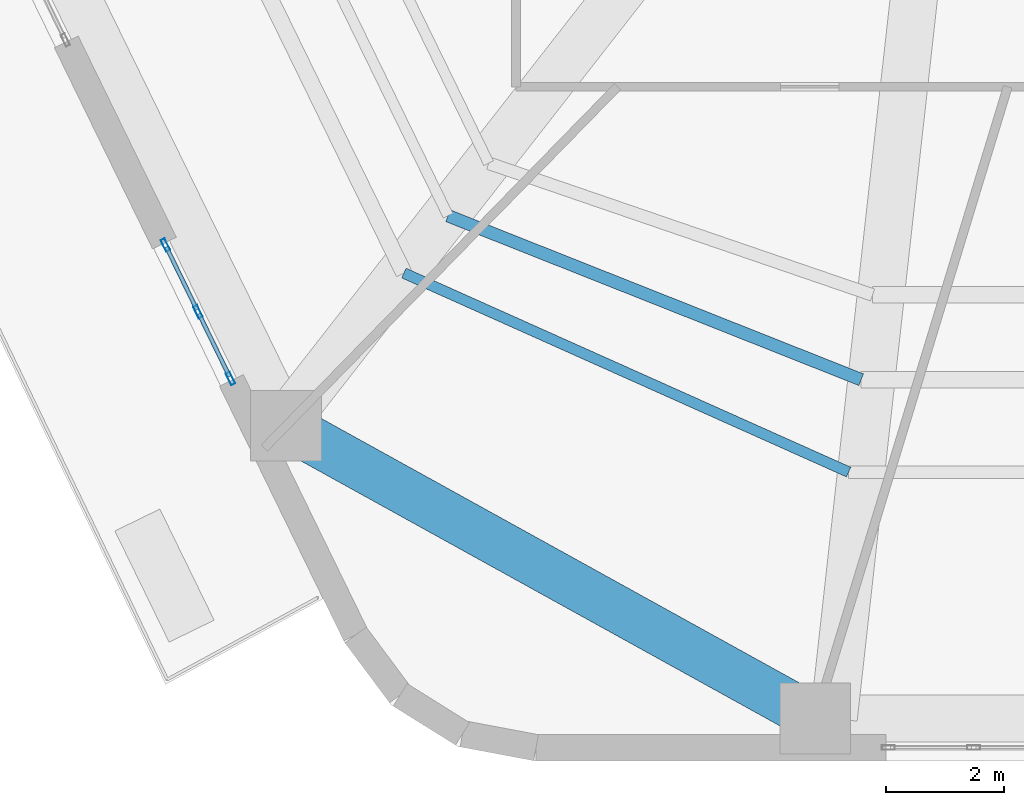
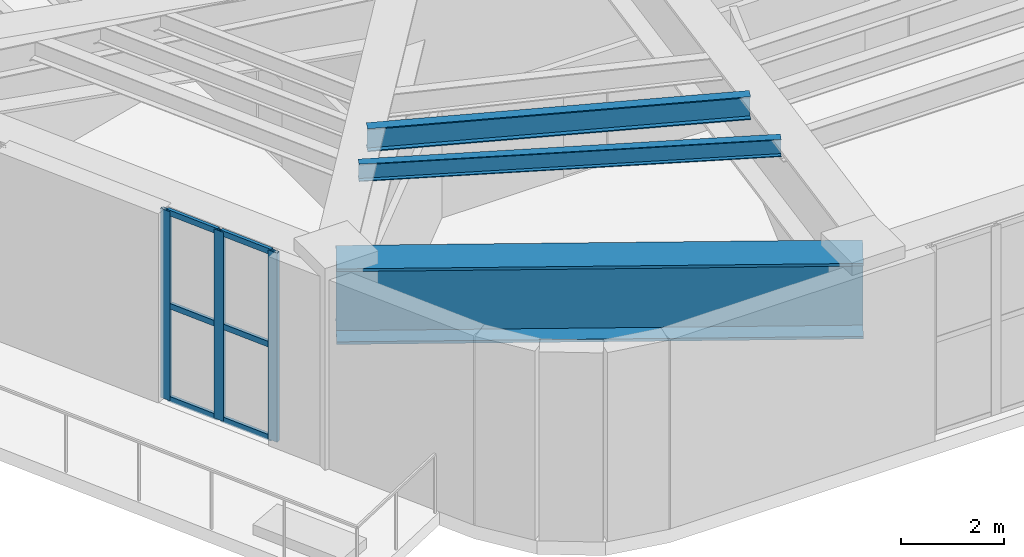
# One storey, part 2 of 22: 9 members, 3 beams, 1 element without a shape of its own.
"""IFC4 building model written with IfcOpenShell, lengths in metres."""

from ifc_helpers import new_model, si_unit, direction, frame, origin, origin_2d, place, context, subcontext, project, spatial, hollow_rectangle, i_section, extrude, material, layer, layer_set, material_profile, profile_set, type_object, element, aggregate, save


model = new_model("IFC4")

# Units and contexts
model_context = context("Model", 3, precision=1e-05, world=origin(), true_north=direction((0.0, 1.0)))
body_context = subcontext(model_context, "Body", "Model", "MODEL_VIEW")
ifc_project = project(units=[si_unit("LENGTHUNIT", "METRE"), si_unit("AREAUNIT", "SQUARE_METRE"), si_unit("VOLUMEUNIT", "CUBIC_METRE"), si_unit("PLANEANGLEUNIT", "RADIAN"), si_unit("MASSUNIT", "GRAM", prefix="KILO")], contexts=[model_context])

# Site, building, storey
site_placement = place(None, origin())
site = spatial("IfcSite", under=ifc_project, at=site_placement, CompositionType="ELEMENT")
building_placement = place(site_placement, origin())
building = spatial("IfcBuilding", under=site, at=building_placement, Name="Kilnhurst Terrace Hotel", CompositionType="ELEMENT")
storey_placement = place(building_placement, frame((0.0, 0.0, 139.5)))
storey = spatial("IfcBuildingStorey", under=building, at=storey_placement, Name="L34", CompositionType="ELEMENT", Elevation=139.5)

# Beams
ifc_material_1 = material(Name="Steel ASTM A992 Grade 50", Category="steel")
ifc_material_profile_1 = material_profile(ifc_material_1, i_section(OverallWidth=0.180908203125, OverallDepth=0.417236328125, WebThickness=0.010986328125, FlangeThickness=0.018310546875, at=origin_2d()), Name="W16X57")
ifc_profile_set_1 = profile_set([ifc_material_profile_1], Name="Steel ASTM A992 Grade 50")
beam_type_1 = type_object("IfcBeamType", Name="JST-STL-W16X57", PredefinedType="JOIST", material=ifc_profile_set_1)
beam_1_placement = place(storey_placement, frame((-13.2548828125, -13.01416015625, 4.291015625), z_axis=(0.912760935806, -0.408494154262, 0.0), x_axis=(0.408494154262, 0.912760935806, 0.0)))
element("IfcBeam", 1, at=beam_1_placement, inside=storey, type_object=beam_type_1, Name="L34 Secondary Floor Steel Joist OUT.12", PredefinedType="JOIST", context=body_context, shape_type="SweptSolid", body=[
    extrude(i_section(OverallWidth=0.180908203125, OverallDepth=0.417236328125, WebThickness=0.010986328125, FlangeThickness=0.018310546875, at=origin_2d()), origin(), (0.0, 0.0, 1.0), 8.274658203125),
])
ifc_material_profile_2 = material_profile(ifc_material_1, i_section(OverallWidth=0.2138671875, OverallDepth=0.549072265625, WebThickness=0.0146484375, FlangeThickness=0.023681640625, at=origin_2d()), Name="W21X93")
ifc_profile_set_2 = profile_set([ifc_material_profile_2], Name="Steel ASTM A992 Grade 50")
beam_type_2 = type_object("IfcBeamType", Name="JST-STL-W21X93", PredefinedType="JOIST", material=ifc_profile_set_2)
beam_2_placement = place(storey_placement, frame((-12.50390625, -12.041015625, 4.22509765625), z_axis=(0.929472927843, -0.368890331138, 0.0), x_axis=(0.368890331138, 0.929472927843, 0.0)))
element("IfcBeam", 2, at=beam_2_placement, inside=storey, type_object=beam_type_2, Name="L34 Secondary Floor Steel Joist MID.12", PredefinedType="JOIST", context=body_context, shape_type="SweptSolid", body=[
    extrude(i_section(OverallWidth=0.2138671875, OverallDepth=0.549072265625, WebThickness=0.0146484375, FlangeThickness=0.023681640625, at=origin_2d()), origin(), (0.0, 0.0, 1.0), 7.546142578125),
])

# Curtain wall, members
ifc_material_2 = material(Name="Anodized Aluminium Alloy 6063-T6 and Low-E Glass", Category="aluminium")
ifc_layer = layer(ifc_material_2, 0.219970703125, Name="Anodized Aluminium Alloy 6063-T6 and Low-E Glass")
ifc_layer_set = layer_set([ifc_layer], Name="Anodized Aluminium Alloy 6063-T6 and Low-E Glass")
curtain_wall_type = type_object("IfcCurtainWallType", Name="CW-SKY-L34", PredefinedType="NOTDEFINED", material=ifc_layer_set)
curtain_wall_placement = place(storey_placement, origin())
curtain_wall = element("IfcCurtainWall", 3, at=curtain_wall_placement, inside=storey, type_object=curtain_wall_type, Name="L34 Curtain Wall CW-L34-F6-2", PredefinedType="NOTDEFINED")
ifc_material_3 = material(Name="Extruded Aluminium Alloy 6063-T6", Category="aluminium")
ifc_material_profile_3 = material_profile(ifc_material_3, hollow_rectangle(XDim=0.074951171875, YDim=0.219970703125, WallThickness=0.00390625, at=origin_2d()), Name="CWM75X220")
ifc_profile_set_3 = profile_set([ifc_material_profile_3], Name="Extruded Aluminium Alloy 6063-T6")
member_type_1 = type_object("IfcMemberType", Name="MEM-CWM75X220", PredefinedType="MULLION", material=ifc_profile_set_3)
member_1_placement = place(storey_placement, frame((-17.3056640625, -12.5380859375, 0.0), z_axis=(0.0, 0.0, 1.0), x_axis=(0.898798060484, 0.438362916395, 0.0)))
member_1 = element("IfcMember", 4, at=member_1_placement, type_object=member_type_1, Name="CWS-3 mullion 1", PredefinedType="MULLION", context=body_context, shape_type="SweptSolid", body=[
    extrude(hollow_rectangle(XDim=0.074951171875, YDim=0.219970703125, WallThickness=0.00390625, at=origin_2d()), origin(), (0.0, 0.0, 1.0), 4.5),
])
member_2_placement = place(storey_placement, frame((-16.753173828125, -13.671142578125, 0.0), z_axis=(0.0, 0.0, 1.0), x_axis=(0.898798060484, 0.438362916395, 0.0)))
member_2 = element("IfcMember", 5, at=member_2_placement, type_object=member_type_1, Name="CWS-3 mullion 2", PredefinedType="MULLION", context=body_context, shape_type="SweptSolid", body=[
    extrude(hollow_rectangle(XDim=0.074951171875, YDim=0.219970703125, WallThickness=0.00390625, at=origin_2d()), origin(), (0.0, 0.0, 1.0), 4.5),
])
member_3_placement = place(storey_placement, frame((-16.200439453125, -14.80419921875, 0.0), z_axis=(0.0, 0.0, 1.0), x_axis=(0.898798060484, 0.438362916395, 0.0)))
member_3 = element("IfcMember", 6, at=member_3_placement, type_object=member_type_1, Name="CWS-3 mullion 3", PredefinedType="MULLION", context=body_context, shape_type="SweptSolid", body=[
    extrude(hollow_rectangle(XDim=0.074951171875, YDim=0.219970703125, WallThickness=0.00390625, at=origin_2d()), origin(), (0.0, 0.0, 1.0), 4.5),
])
ifc_material_profile_4 = material_profile(ifc_material_3, hollow_rectangle(XDim=0.070068359375, YDim=0.135009765625, WallThickness=0.00390625, at=origin_2d()), Name="CWT70X135")
ifc_profile_set_4 = profile_set([ifc_material_profile_4], Name="Extruded Aluminium Alloy 6063-T6")
member_type_2 = type_object("IfcMemberType", Name="MEM-CWT70X135", PredefinedType="USERDEFINED", material=ifc_profile_set_4)
member_4_placement = place(storey_placement, frame((-17.289306640625, -12.572021484375, 0.034912109375), z_axis=(0.438460149808, -0.898750631171, 0.0), x_axis=(0.898750631171, 0.438460149808, 0.0)))
member_4 = element("IfcMember", 7, at=member_4_placement, type_object=member_type_2, Name="CWS-3 transom 1.1", ObjectType="TRANSOM", PredefinedType="USERDEFINED", context=body_context, shape_type="SweptSolid", body=[
    extrude(hollow_rectangle(XDim=0.070068359375, YDim=0.135009765625, WallThickness=0.00390625, at=origin_2d()), origin(), (0.0, 0.0, 1.0), 1.185546875),
])
member_5_placement = place(storey_placement, frame((-17.289306640625, -12.572021484375, 2.25), z_axis=(0.438460149808, -0.898750631171, 0.0), x_axis=(0.898750631171, 0.438460149808, 0.0)))
member_5 = element("IfcMember", 8, at=member_5_placement, type_object=member_type_2, Name="CWS-3 transom 1.2", ObjectType="TRANSOM", PredefinedType="USERDEFINED", context=body_context, shape_type="SweptSolid", body=[
    extrude(hollow_rectangle(XDim=0.070068359375, YDim=0.135009765625, WallThickness=0.00390625, at=origin_2d()), origin(), (0.0, 0.0, 1.0), 1.185546875),
])
member_6_placement = place(storey_placement, frame((-17.289306640625, -12.572021484375, 4.465087890625), z_axis=(0.438460149808, -0.898750631171, 0.0), x_axis=(0.898750631171, 0.438460149808, 0.0)))
member_6 = element("IfcMember", 9, at=member_6_placement, type_object=member_type_2, Name="CWS-3 transom 1.3", ObjectType="TRANSOM", PredefinedType="USERDEFINED", context=body_context, shape_type="SweptSolid", body=[
    extrude(hollow_rectangle(XDim=0.070068359375, YDim=0.135009765625, WallThickness=0.00390625, at=origin_2d()), origin(), (0.0, 0.0, 1.0), 1.185546875),
])
member_7_placement = place(storey_placement, frame((-16.736572265625, -13.704833984375, 0.034912109375), z_axis=(0.438212646202, -0.898871334902, 0.0), x_axis=(0.898871334902, 0.438212646202, 0.0)))
member_7 = element("IfcMember", 10, at=member_7_placement, type_object=member_type_2, Name="CWS-3 transom 2.1", ObjectType="TRANSOM", PredefinedType="USERDEFINED", context=body_context, shape_type="SweptSolid", body=[
    extrude(hollow_rectangle(XDim=0.070068359375, YDim=0.135009765625, WallThickness=0.00390625, at=origin_2d()), origin(), (0.0, 0.0, 1.0), 1.185546875),
])
member_8_placement = place(storey_placement, frame((-16.736572265625, -13.704833984375, 2.25), z_axis=(0.438212646202, -0.898871334902, 0.0), x_axis=(0.898871334902, 0.438212646202, 0.0)))
member_8 = element("IfcMember", 11, at=member_8_placement, type_object=member_type_2, Name="CWS-3 transom 2.2", ObjectType="TRANSOM", PredefinedType="USERDEFINED", context=body_context, shape_type="SweptSolid", body=[
    extrude(hollow_rectangle(XDim=0.070068359375, YDim=0.135009765625, WallThickness=0.00390625, at=origin_2d()), origin(), (0.0, 0.0, 1.0), 1.185546875),
])
member_9_placement = place(storey_placement, frame((-16.736572265625, -13.704833984375, 4.465087890625), z_axis=(0.438212646202, -0.898871334902, 0.0), x_axis=(0.898871334902, 0.438212646202, 0.0)))
member_9 = element("IfcMember", 12, at=member_9_placement, type_object=member_type_2, Name="CWS-3 transom 2.3", ObjectType="TRANSOM", PredefinedType="USERDEFINED", context=body_context, shape_type="SweptSolid", body=[
    extrude(hollow_rectangle(XDim=0.070068359375, YDim=0.135009765625, WallThickness=0.00390625, at=origin_2d()), origin(), (0.0, 0.0, 1.0), 1.185546875),
])
aggregate(curtain_wall, [member_1, member_2, member_3, member_4, member_5, member_6, member_7, member_8, member_9])

# Beam
ifc_material_4 = material(Name="Steel ASTM A572 Grade 50", Category="steel")
ifc_material_profile_5 = material_profile(ifc_material_4, i_section(OverallWidth=0.800048828125, OverallDepth=1.800048828125, WebThickness=0.0400390625, FlangeThickness=0.06494140625, at=origin_2d()), Name="PG1800X800")
ifc_profile_set_5 = profile_set([ifc_material_profile_5], Name="Steel ASTM A572 Grade 50")
beam_type_3 = type_object("IfcBeamType", Name="TG-STEP-1800", PredefinedType="USERDEFINED", material=ifc_profile_set_5)
beam_3_placement = place(storey_placement, frame((-15.257080078125, -15.60888671875, 3.60009765625), z_axis=(0.875094010429, -0.483952965598, 0.0), x_axis=(0.483952965598, 0.875094010429, 0.0)))
element("IfcBeam", 13, at=beam_3_placement, inside=storey, type_object=beam_type_3, Name="L34 Zone Step Perimeter Transfer Girder 12", ObjectType="GIRDER", PredefinedType="USERDEFINED", context=body_context, shape_type="SweptSolid", body=[
    extrude(i_section(OverallWidth=0.800048828125, OverallDepth=1.800048828125, WebThickness=0.0400390625, FlangeThickness=0.06494140625, at=origin_2d()), origin(), (0.0, 0.0, 1.0), 10.27197265625),
])

save(model, "model.ifc")
